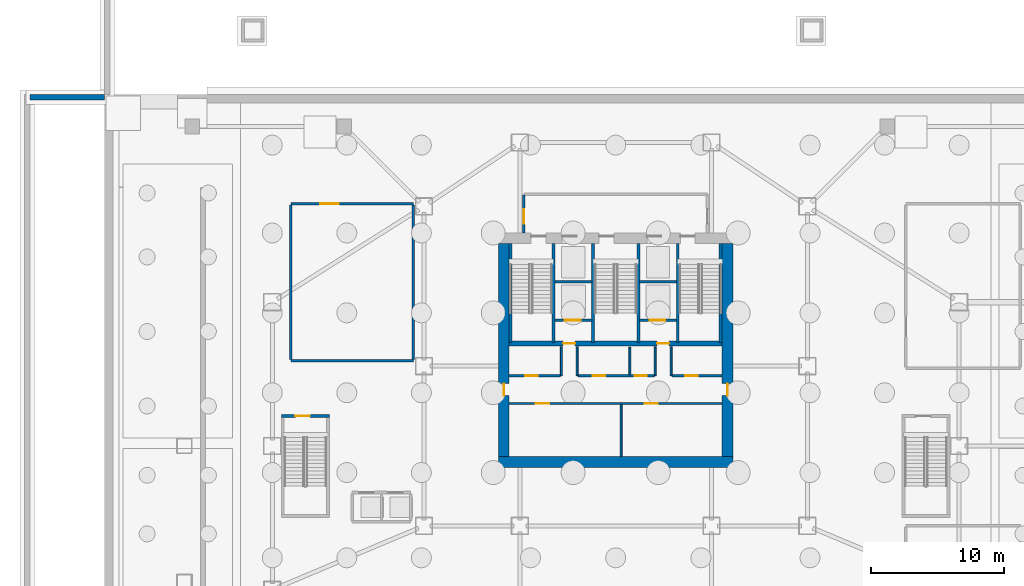
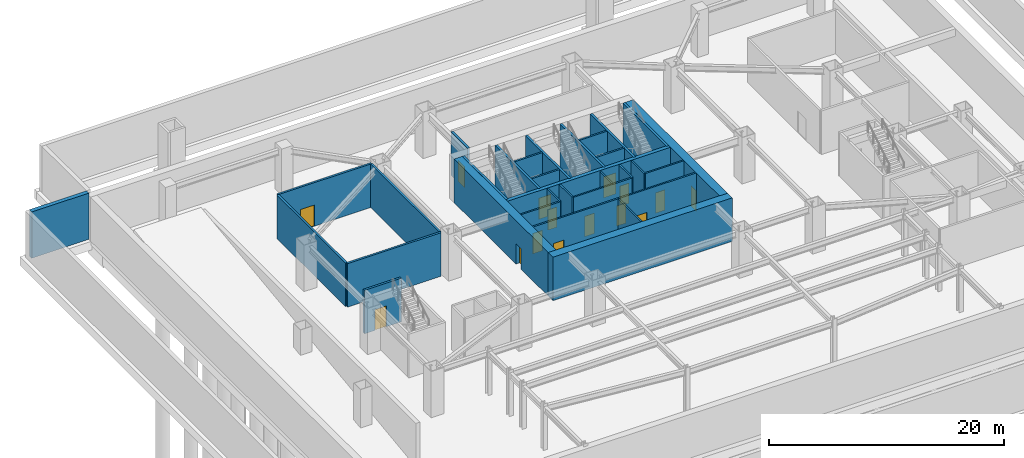
# One storey, part 8 of 15: 31 walls, 15 doors, 15 openings.
"""IFC4 building model written with IfcOpenShell, lengths in metres."""

import ifcopenshell
import ifcopenshell.guid

model = None  # the IFC model being written
_history = None  # IfcOwnerHistory: only IFC2X3 demands one
_inside = {}  # id of a spatial element -> (the spatial element, [elements in it])
_under = {}  # id of a project, library or spatial element -> (it, [spatial elements below it])
_declared = {}  # id of a project -> (the project, [libraries it declares])
_typed = {}  # id of a type object -> (the type object, [elements of that type])
_made_of = {}  # id of a material, layer set ... -> (it, [elements and type objects made of it])


def new_model(schema):
    """Start an empty IFC model of exactly this schema.

    Asked for "IFC4X3", IfcOpenShell would pick the latest addendum, in which some entities
    have other attributes; the version numbers below select the first issue.
    IFC2X3 requires an IfcOwnerHistory on every rooted entity: one is made here for all.
    """
    global model, _history
    if schema == "IFC4X3":
        model = ifcopenshell.file(schema_version=(4, 3, 0, 0))
    else:
        model = ifcopenshell.file(schema=schema)
    _inside.clear()
    _under.clear()
    _declared.clear()
    _typed.clear()
    _made_of.clear()
    _history = None
    if model.schema == "IFC2X3":
        org = make("IfcOrganization", Name="unknown")
        user = make(
            "IfcPersonAndOrganization",
            ThePerson=make("IfcPerson", FamilyName="unknown"),
            TheOrganization=org,
        )
        app = make(
            "IfcApplication",
            ApplicationDeveloper=org,
            Version="unknown",
            ApplicationFullName="unknown",
            ApplicationIdentifier="unknown",
        )
        _history = make(
            "IfcOwnerHistory",
            OwningUser=user,
            OwningApplication=app,
            ChangeAction="ADDED",
            CreationDate=0,
        )
    return model


def make(cls, **values):
    """One entity of the class cls with the attributes given. An attribute that is None is left unset."""
    return model.create_entity(
        cls, **{name: value for name, value in values.items() if value is not None}
    )


def rooted(cls, **values):
    """An entity with a GlobalId (a new one), such as an element, a storey or a relation."""
    return make(cls, GlobalId=ifcopenshell.guid.new(), OwnerHistory=_history, **values)


def si_unit(unit_type, name, prefix=None):
    """IfcSIUnit, for example si_unit("LENGTHUNIT", "METRE", prefix="MILLI")."""
    return make("IfcSIUnit", UnitType=unit_type, Prefix=prefix, Name=name)


def assignment(units):
    """IfcUnitAssignment: the units of a project."""
    return None if units is None else make("IfcUnitAssignment", Units=units)


def point(xyz):
    """IfcCartesianPoint."""
    return None if xyz is None else make("IfcCartesianPoint", Coordinates=xyz)


def direction(xyz):
    """IfcDirection."""
    return None if xyz is None else make("IfcDirection", DirectionRatios=xyz)


def frame(location, z_axis=None, x_axis=None):
    """IfcAxis2Placement3D, a coordinate frame: its origin and axes. An axis left out is left unset."""
    return make(
        "IfcAxis2Placement3D",
        Location=point(location),
        Axis=direction(z_axis),
        RefDirection=direction(x_axis),
    )


def frame_2d(location, x_axis=None):
    """IfcAxis2Placement2D, a coordinate frame in the plane: its origin and x axis."""
    return make(
        "IfcAxis2Placement2D", Location=point(location), RefDirection=direction(x_axis)
    )


def origin():
    """The frame at (0, 0, 0) with its axes left unset."""
    return frame((0.0, 0.0, 0.0))


def place(relative_to, where):
    """IfcLocalPlacement: puts the frame where relative to a parent placement (None: the world)."""
    return make(
        "IfcLocalPlacement", PlacementRelTo=relative_to, RelativePlacement=where
    )


def context(
    kind, dimensions, precision=None, world=None, true_north=None, identifier=None
):
    """IfcGeometricRepresentationContext, for example the 3D "Model" context."""
    return make(
        "IfcGeometricRepresentationContext",
        ContextIdentifier=identifier,
        ContextType=kind,
        CoordinateSpaceDimension=dimensions,
        Precision=precision,
        WorldCoordinateSystem=world,
        TrueNorth=true_north,
    )


def subcontext(parent, identifier, kind, view, scale=None):
    """IfcGeometricRepresentationSubContext, for example "Body" below "Model"."""
    return make(
        "IfcGeometricRepresentationSubContext",
        ContextIdentifier=identifier,
        ContextType=kind,
        ParentContext=parent,
        TargetScale=scale,
        TargetView=view,
    )


def project(units=None, contexts=None):
    """IfcProject with its units and contexts."""
    return rooted(
        "IfcProject",
        Name="project",
        RepresentationContexts=contexts,
        UnitsInContext=assignment(units),
    )


def spatial(cls, under=None, at=None, **own):
    """A site, building, storey or space (cls), placed at a placement, below another one or the project."""
    s = rooted(cls, ObjectPlacement=at, **own)
    if under is not None:
        _under.setdefault(under.id(), (under, []))[1].append(s)
    return s


def profile(cls, at=None, kind="AREA", **sizes):
    """A parametric profile (cls). Its sizes go by their IFC names, for example OverallWidth=200.0."""
    return make(cls, ProfileType=kind, Position=at, **sizes)


def rectangle(**sizes):
    """IfcRectangleProfileDef."""
    return profile("IfcRectangleProfileDef", **sizes)


def extrude(swept, where, along, depth):
    """IfcExtrudedAreaSolid: the profile swept, set in the frame where, extruded along a direction by depth."""
    return make(
        "IfcExtrudedAreaSolid",
        SweptArea=swept,
        Position=where,
        ExtrudedDirection=direction(along),
        Depth=depth,
    )


def shape(context_of_items, identifier, shape_type, items):
    """IfcShapeRepresentation: the items that make up one representation, for example the "Body"."""
    return make(
        "IfcShapeRepresentation",
        ContextOfItems=context_of_items,
        RepresentationIdentifier=identifier,
        RepresentationType=shape_type,
        Items=items,
    )


def material(Name=None, Category=None):
    """IfcMaterial."""
    return make("IfcMaterial", Name=Name, Category=Category)


def layer(
    of_material, thickness, ventilated=None, Name=None, Category=None, Priority=None
):
    """IfcMaterialLayer: one layer of a wall or slab, of a material (None: an air gap)."""
    return make(
        "IfcMaterialLayer",
        Material=of_material,
        LayerThickness=thickness,
        IsVentilated=ventilated,
        Name=Name,
        Category=Category,
        Priority=Priority,
    )


def layer_set(layers, Name=None):
    """IfcMaterialLayerSet."""
    return make("IfcMaterialLayerSet", MaterialLayers=layers, LayerSetName=Name)


def made_of(thing, what):
    """Note that an element or type object is made of a material, layer set ...; save() writes the relation."""
    if what is not None:
        _made_of.setdefault(what.id(), (what, []))[1].append(thing)
    return thing


def type_object(cls, material=None, **own):
    """A type object (cls), such as IfcWallType, which elements share."""
    return made_of(rooted(cls, **own), material)


def element(
    cls,
    number,
    at=None,
    inside=None,
    cuts=None,
    type_object=None,
    material=None,
    context=None,
    identifier="Body",
    shape_type=None,
    held_by="IfcProductDefinitionShape",
    body=None,
    shapes=None,
    **own,
):
    """One element of the class cls, such as IfcWall. Its Tag is "e" and its number.

    at: its placement. inside: the storey or other place that contains it. cuts: it is an
    opening in that element (IfcRelVoidsElement). A single representation is given by context,
    identifier, shape_type and body (its items); several are given by shapes. held_by: the class
    of the entity that holds the representations. save() writes the other relations.
    """
    e = rooted(cls, Tag="e%d" % number, ObjectPlacement=at, **own)
    if body is not None:
        shapes = [shape(context, identifier, shape_type, body)]
    if shapes is not None:
        e.Representation = make(held_by, Representations=shapes)
    if inside is not None:
        _inside.setdefault(inside.id(), (inside, []))[1].append(e)
    if cuts is not None:
        rooted(
            "IfcRelVoidsElement", RelatingBuildingElement=cuts, RelatedOpeningElement=e
        )
    if type_object is not None:
        _typed.setdefault(type_object.id(), (type_object, []))[1].append(e)
    return made_of(e, material)


def fill(opening, filler):
    """IfcRelFillsElement: the door or window that sits in an opening."""
    return rooted(
        "IfcRelFillsElement",
        RelatingOpeningElement=opening,
        RelatedBuildingElement=filler,
    )


def aggregate(whole, parts):
    """IfcRelAggregates: a whole, such as a stair, and the parts it consists of."""
    return rooted("IfcRelAggregates", RelatingObject=whole, RelatedObjects=parts)


def save(model, path):
    """Write the relations noted so far, then the file.

    IfcRelAggregates (storeys below a building ...), IfcRelContainedInSpatialStructure (elements
    in a storey), IfcRelDefinesByType, IfcRelAssociatesMaterial and IfcRelDeclares: one each for
    every whole, place, type object, material and project.
    """
    for whole, parts in _under.values():
        aggregate(whole, parts)
    for where, things in _inside.values():
        rooted(
            "IfcRelContainedInSpatialStructure",
            RelatedElements=things,
            RelatingStructure=where,
        )
    for kind, things in _typed.values():
        rooted("IfcRelDefinesByType", RelatedObjects=things, RelatingType=kind)
    for what, things in _made_of.values():
        rooted("IfcRelAssociatesMaterial", RelatedObjects=things, RelatingMaterial=what)
    for by, libraries in _declared.values():
        rooted("IfcRelDeclares", RelatingContext=by, RelatedDefinitions=libraries)
    model.write(path)


model = new_model("IFC4")

# Units and contexts
model_context = context("Model", 3, precision=1e-05, world=origin(), true_north=direction((0.0, 1.0)))
body_context = subcontext(model_context, "Body", "Model", "MODEL_VIEW")
ifc_project = project(units=[si_unit("LENGTHUNIT", "METRE"), si_unit("AREAUNIT", "SQUARE_METRE"), si_unit("VOLUMEUNIT", "CUBIC_METRE"), si_unit("PLANEANGLEUNIT", "RADIAN"), si_unit("MASSUNIT", "GRAM", prefix="KILO")], contexts=[model_context])

# Site, building, storey
site_placement = place(None, origin())
site = spatial("IfcSite", under=ifc_project, at=site_placement, CompositionType="ELEMENT")
building_placement = place(site_placement, origin())
building = spatial("IfcBuilding", under=site, at=building_placement, Name="Haolan Belvedere Tower", CompositionType="ELEMENT")
storey_placement = place(building_placement, frame((0.0, 0.0, -9.60009765625)))
storey = spatial("IfcBuildingStorey", under=building, at=storey_placement, Name="B2", CompositionType="ELEMENT", Elevation=-9.60009765625)

# Wall
ifc_material_1 = material(Name="Concrete C70/85", Category="concrete")
ifc_layer_1 = layer(ifc_material_1, 0.800048828125, Name="Concrete C70/85")
ifc_layer_set_1 = layer_set([ifc_layer_1], Name="Concrete C70/85")
wall_type_1 = type_object("IfcWallType", Name="WL-CORE-800", PredefinedType="SHEAR", material=ifc_layer_set_1)
wall_1_placement = place(storey_placement, frame((29.60009765625, 26.39990234375, 0.0), z_axis=(0.0, 0.0, 1.0), x_axis=(1.0, 0.0, 0.0)))
element("IfcWall", 1, at=wall_1_placement, inside=storey, type_object=wall_type_1, Name="B2 central core south shear wall", PredefinedType="SHEAR", context=body_context, shape_type="SweptSolid", body=[
    extrude(rectangle(XDim=17.599853515625, YDim=0.800048828125, at=frame_2d((8.7998046875, 0.0))), origin(), (0.0, 0.0, 1.0), 4.52001953125),
])

# Wall, opening, door
wall_2_placement = place(storey_placement, frame((30.0, 26.800048828125, 0.0), z_axis=(0.0, 0.0, 1.0), x_axis=(0.0, 1.0, 0.0)))
wall_2 = element("IfcWall", 2, at=wall_2_placement, inside=storey, type_object=wall_type_1, Name="B2 central core west shear wall", PredefinedType="SHEAR", context=body_context, shape_type="SweptSolid", body=[
    extrude(rectangle(XDim=16.0, YDim=0.800048828125, at=frame_2d((8.0, 0.0))), origin(), (0.0, 0.0, 1.0), 4.52001953125),
])
opening_1_placement = place(wall_2_placement, frame((4.590087890625, 0.0, 0.0)))
opening_1 = element("IfcOpeningElement", 3, at=opening_1_placement, cuts=wall_2, Name="Opening FD-05", PredefinedType="OPENING", context=body_context, shape_type="SweptSolid", body=[
    extrude(rectangle(XDim=0.89990234375, YDim=2.10009765625, at=frame_2d((0.449951171875, 1.050048828125))), frame((0.0, 0.409912109375, 0.0), z_axis=(0.0, -1.0, 0.0), x_axis=(1.0, 0.0, 0.0)), (0.0, 0.0, 1.0), 0.820068359375),
])
ifc_material_2 = material(Name="Galvanised fire-rated steel", Category="steel")
door_type_1 = type_object("IfcDoorType", Name="DR-FD60-900", OperationType="NOTDEFINED", PredefinedType="DOOR", material=ifc_material_2)
door_1_placement = place(opening_1_placement, origin())
door_1 = element("IfcDoor", 4, at=door_1_placement, inside=storey, type_object=door_type_1, Name="B2 door CD-B2-PLL-W", OperationType="SINGLE_SWING_LEFT", OverallHeight=2.10009765625, OverallWidth=0.89990234375, PredefinedType="DOOR", context=body_context, shape_type="SweptSolid", body=[
    extrude(rectangle(XDim=0.89990234375, YDim=2.10009765625, at=frame_2d((0.449951171875, 1.050048828125))), frame((0.0, 0.02490234375, 0.0), z_axis=(0.0, -1.0, 0.0), x_axis=(1.0, 0.0, 0.0)), (0.0, 0.0, 1.0), 0.050048828125),
])
fill(opening_1, door_1)

wall_3_placement = place(storey_placement, frame((46.800048828125, 26.800048828125, 0.0), z_axis=(0.0, 0.0, 1.0), x_axis=(0.0, 1.0, 0.0)))
wall_3 = element("IfcWall", 5, at=wall_3_placement, inside=storey, type_object=wall_type_1, Name="B2 central core east shear wall", PredefinedType="SHEAR", context=body_context, shape_type="SweptSolid", body=[
    extrude(rectangle(XDim=16.0, YDim=0.800048828125, at=frame_2d((8.0, 0.0))), origin(), (0.0, 0.0, 1.0), 4.52001953125),
])
opening_2_placement = place(wall_3_placement, frame((5.489990234375, 0.0, 0.0), z_axis=(0.0, 0.0, 1.0), x_axis=(-1.0, 0.0, 0.0)))
opening_2 = element("IfcOpeningElement", 6, at=opening_2_placement, cuts=wall_3, Name="Opening FD-05", PredefinedType="OPENING", context=body_context, shape_type="SweptSolid", body=[
    extrude(rectangle(XDim=0.89990234375, YDim=2.10009765625, at=frame_2d((0.449951171875, 1.050048828125))), frame((0.0, 0.409912109375, 0.0), z_axis=(0.0, -1.0, 0.0), x_axis=(1.0, 0.0, 0.0)), (0.0, 0.0, 1.0), 0.820068359375),
])
door_2_placement = place(opening_2_placement, origin())
door_2 = element("IfcDoor", 7, at=door_2_placement, inside=storey, type_object=door_type_1, Name="B2 door CD-B2-PLL-E", OperationType="SINGLE_SWING_LEFT", OverallHeight=2.10009765625, OverallWidth=0.89990234375, PredefinedType="DOOR", context=body_context, shape_type="SweptSolid", body=[
    extrude(rectangle(XDim=0.89990234375, YDim=2.10009765625, at=frame_2d((0.449951171875, 1.050048828125))), frame((0.0, 0.02490234375, 0.0), z_axis=(0.0, -1.0, 0.0), x_axis=(1.0, 0.0, 0.0)), (0.0, 0.0, 1.0), 0.050048828125),
])
fill(opening_2, door_2)

ifc_material_3 = material(Name="Concrete C40/50", Category="concrete")
ifc_layer_2 = layer(ifc_material_3, 0.199951171875, Name="Concrete C40/50")
ifc_layer_set_2 = layer_set([ifc_layer_2], Name="Concrete C40/50")
wall_type_2 = type_object("IfcWallType", Name="WL-FIRE-200", PredefinedType="SOLIDWALL", material=ifc_layer_set_2)
wall_4_placement = place(storey_placement, frame((31.5, 43.60009765625, 0.0), z_axis=(0.0, 0.0, 1.0), x_axis=(0.0, 1.0, 0.0)))
wall_4 = element("IfcWall", 8, at=wall_4_placement, inside=storey, type_object=wall_type_2, Name="B2 interior partition IW-B2-FFL-W", PredefinedType="SOLIDWALL", context=body_context, shape_type="SweptSolid", body=[
    extrude(rectangle(XDim=2.8349609375, YDim=0.199951171875, at=frame_2d((1.41748046875, 0.0))), origin(), (0.0, 0.0, 1.0), 4.52001953125),
])
opening_3_placement = place(wall_4_placement, frame((1.800048828125, 0.0, 0.0), z_axis=(0.0, 0.0, 1.0), x_axis=(-1.0, 0.0, 0.0)))
opening_3 = element("IfcOpeningElement", 9, at=opening_3_placement, cuts=wall_4, Name="Opening FD-03", PredefinedType="OPENING", context=body_context, shape_type="SweptSolid", body=[
    extrude(rectangle(XDim=1.10009765625, YDim=2.14990234375, at=frame_2d((0.550048828125, 1.074951171875))), frame((0.0, 0.10986328125, 0.0), z_axis=(0.0, -1.0, 0.0), x_axis=(1.0, 0.0, 0.0)), (0.0, 0.0, 1.0), 0.219970703125),
])
door_type_2 = type_object("IfcDoorType", Name="DR-FD90-1100", OperationType="NOTDEFINED", PredefinedType="DOOR", material=ifc_material_2)
door_3_placement = place(opening_3_placement, origin())
door_3 = element("IfcDoor", 10, at=door_3_placement, inside=storey, type_object=door_type_2, Name="B2 door ID-B2-FFL-DW", OperationType="SINGLE_SWING_LEFT", OverallHeight=2.14990234375, OverallWidth=1.10009765625, PredefinedType="DOOR", context=body_context, shape_type="SweptSolid", body=[
    extrude(rectangle(XDim=1.10009765625, YDim=2.14990234375, at=frame_2d((0.550048828125, 1.074951171875))), frame((0.0, 0.02490234375, 0.0), z_axis=(0.0, -1.0, 0.0), x_axis=(1.0, 0.0, 0.0)), (0.0, 0.0, 1.0), 0.050048828125),
])
fill(opening_3, door_3)

wall_5_placement = place(storey_placement, frame((14.0, 45.800048828125, 0.0), z_axis=(0.0, 0.0, 1.0), x_axis=(1.0, 0.0, 0.0)))
wall_5 = element("IfcWall", 11, at=wall_5_placement, inside=storey, type_object=wall_type_2, Name="B2 interior partition IW-B2-PLT-FAN-N", PredefinedType="SOLIDWALL", context=body_context, shape_type="SweptSolid", body=[
    extrude(rectangle(XDim=9.199951171875, YDim=0.199951171875, at=frame_2d((4.60009765625, 0.0))), origin(), (0.0, 0.0, 1.0), 4.52001953125),
])
opening_4_placement = place(wall_5_placement, frame((2.199951171875, 0.0, 0.0)))
opening_4 = element("IfcOpeningElement", 12, at=opening_4_placement, cuts=wall_5, Name="Opening FD-01", PredefinedType="OPENING", context=body_context, shape_type="SweptSolid", body=[
    extrude(rectangle(XDim=1.39990234375, YDim=2.199951171875, at=frame_2d((0.699951171875, 1.10009765625))), frame((0.0, 0.10986328125, 0.0), z_axis=(0.0, -1.0, 0.0), x_axis=(1.0, 0.0, 0.0)), (0.0, 0.0, 1.0), 0.219970703125),
])
door_type_3 = type_object("IfcDoorType", Name="DR-FD90-1400", OperationType="DOUBLE_DOOR_SINGLE_SWING", PredefinedType="DOOR", material=ifc_material_2)
door_4_placement = place(opening_4_placement, origin())
door_4 = element("IfcDoor", 13, at=door_4_placement, inside=storey, type_object=door_type_3, Name="B2 door ID-B2-PLT-FAN", OperationType="DOUBLE_DOOR_SINGLE_SWING", OverallHeight=2.199951171875, OverallWidth=1.39990234375, PredefinedType="DOOR", context=body_context, shape_type="SweptSolid", body=[
    extrude(rectangle(XDim=1.39990234375, YDim=2.199951171875, at=frame_2d((0.699951171875, 1.10009765625))), frame((0.0, 0.02490234375, 0.0), z_axis=(0.0, -1.0, 0.0), x_axis=(1.0, 0.0, 0.0)), (0.0, 0.0, 1.0), 0.050048828125),
])
fill(opening_4, door_4)

# Walls
wall_6_placement = place(storey_placement, frame((14.0, 34.0, 0.0), z_axis=(0.0, 0.0, 1.0), x_axis=(1.0, 0.0, 0.0)))
element("IfcWall", 14, at=wall_6_placement, inside=storey, type_object=wall_type_2, Name="B2 interior partition IW-B2-PLT-FAN-S", PredefinedType="SOLIDWALL", context=body_context, shape_type="SweptSolid", body=[
    extrude(rectangle(XDim=9.199951171875, YDim=0.199951171875, at=frame_2d((4.60009765625, 0.0))), origin(), (0.0, 0.0, 1.0), 4.52001953125),
])
for number, where, z_axis, x_axis, name in (
    (15, (14.0, 34.0849609375, 0.0), (0.0, 0.0, 1.0), (0.0, 1.0, 0.0), "B2 interior partition IW-B2-PLT-FAN-W"),
    (16, (23.199951171875, 34.0849609375, 0.0), (0.0, 0.0, 1.0), (0.0, 1.0, 0.0), "B2 interior partition IW-B2-PLT-FAN-E"),
):
    element("IfcWall", number, at=place(storey_placement, frame(where, z_axis=z_axis, x_axis=x_axis)), inside=storey, type_object=wall_type_2, Name=name, PredefinedType="SOLIDWALL", context=body_context, shape_type="SweptSolid", body=[
        extrude(rectangle(XDim=11.630126953125, YDim=0.199951171875, at=frame_2d((5.81494140625, 0.0))), origin(), (0.0, 0.0, 1.0), 4.52001953125),
    ])
ifc_material_4 = material(Name="Concrete C50/60", Category="concrete")
ifc_layer_3 = layer(ifc_material_4, 0.39990234375, Name="Concrete C50/60")
ifc_layer_set_3 = layer_set([ifc_layer_3], Name="Concrete C50/60")
wall_type_3 = type_object("IfcWallType", Name="WL-RMP-400", PredefinedType="SOLIDWALL", material=ifc_layer_set_3)
wall_7_placement = place(storey_placement, frame((-5.60009765625, 53.800048828125, 0.0), z_axis=(0.0, 0.0, 1.0), x_axis=(1.0, 0.0, 0.0)))
element("IfcWall", 17, at=wall_7_placement, inside=storey, type_object=wall_type_3, Name="B2 apron foundation wall APW-W-N", PredefinedType="SOLIDWALL", context=body_context, shape_type="SweptSolid", body=[
    extrude(rectangle(XDim=5.60009765625, YDim=0.39990234375, at=frame_2d((2.800048828125, 0.0))), origin(), (0.0, 0.0, 1.0), 4.800048828125),
])
ifc_material_5 = material(Name="Gypsum fire shaftwall assembly", Category="masonry")
ifc_layer_4 = layer(ifc_material_5, 0.1650390625, Name="Gypsum fire shaftwall assembly")
ifc_layer_set_4 = layer_set([ifc_layer_4], Name="Gypsum fire shaftwall assembly")
wall_type_4 = type_object("IfcWallType", Name="WL-SHAFT-160", PredefinedType="SOLIDWALL", material=ifc_layer_set_4)
for number, where, z_axis, x_axis, name in (
    (18, (34.31005859375, 32.8798828125, 0.0), (0.0, 0.0, 1.0), (0.0, 1.0, 0.0), "B2 interior partition IW-B2-SVP-W-SV1"),
    (19, (35.510009765625, 32.8798828125, 0.0), (0.0, 0.0, 1.0), (0.0, 1.0, 0.0), "B2 interior partition IW-B2-SVP-E-SV1"),
    (20, (41.3701171875, 32.8798828125, 0.0), (0.0, 0.0, 1.0), (0.0, 1.0, 0.0), "B2 interior partition IW-B2-SVP-W-SV2"),
    (21, (42.570068359375, 32.8798828125, 0.0), (0.0, 0.0, 1.0), (0.0, 1.0, 0.0), "B2 interior partition IW-B2-SVP-E-SV2"),
):
    element("IfcWall", number, at=place(storey_placement, frame(where, z_axis=z_axis, x_axis=x_axis)), inside=storey, type_object=wall_type_4, Name=name, PredefinedType="SOLIDWALL", context=body_context, shape_type="SweptSolid", body=[
        extrude(rectangle(XDim=2.170166015625, YDim=0.14990234375, at=frame_2d((1.0849609375, 0.0))), origin(), (0.0, 0.0, 1.0), 4.52001953125),
    ])

# Wall, opening, door
wall_8_placement = place(storey_placement, frame((30.39990234375, 32.8798828125, 0.0), z_axis=(0.0, 0.0, 1.0), x_axis=(1.0, 0.0, 0.0)))
wall_8 = element("IfcWall", 22, at=wall_8_placement, inside=storey, type_object=wall_type_4, Name="B2 interior partition IW-B2-ROW-PN1", PredefinedType="SOLIDWALL", context=body_context, shape_type="SweptSolid", body=[
    extrude(rectangle(XDim=3.85009765625, YDim=0.159912109375, at=frame_2d((1.925048828125, 0.0))), origin(), (0.0, 0.0, 1.0), 4.52001953125),
])
opening_5_placement = place(wall_8_placement, frame((2.14990234375, 0.0, 0.0), z_axis=(0.0, 0.0, 1.0), x_axis=(-1.0, 0.0, 0.0)))
opening_5 = element("IfcOpeningElement", 23, at=opening_5_placement, cuts=wall_8, Name="Opening ID-03", PredefinedType="OPENING", context=body_context, shape_type="SweptSolid", body=[
    extrude(rectangle(XDim=0.949951171875, YDim=2.1201171875, at=frame_2d((0.47509765625, 1.06005859375))), frame((0.0, 0.08984375, 0.0), z_axis=(0.0, -1.0, 0.0), x_axis=(1.0, 0.0, 0.0)), (0.0, 0.0, 1.0), 0.179931640625),
])
ifc_material_6 = material(Name="Painted solid-core timber", Category="wood")
door_type_4 = type_object("IfcDoorType", Name="DR-INT-950", OperationType="NOTDEFINED", PredefinedType="DOOR", material=ifc_material_6)
door_5_placement = place(opening_5_placement, origin())
door_5 = element("IfcDoor", 24, at=door_5_placement, inside=storey, type_object=door_type_4, Name="B2 door ID-B2-CD-BNW", OperationType="SINGLE_SWING_LEFT", OverallHeight=2.1201171875, OverallWidth=0.949951171875, PredefinedType="DOOR", context=body_context, shape_type="SweptSolid", body=[
    extrude(rectangle(XDim=0.949951171875, YDim=2.1201171875, at=frame_2d((0.47509765625, 1.06005859375))), frame((0.0, 0.02490234375, 0.0), z_axis=(0.0, -1.0, 0.0), x_axis=(1.0, 0.0, 0.0)), (0.0, 0.0, 1.0), 0.050048828125),
])
fill(opening_5, door_5)

# Wall, openings, doors
wall_9_placement = place(storey_placement, frame((35.570068359375, 32.8798828125, 0.0), z_axis=(0.0, 0.0, 1.0), x_axis=(1.0, 0.0, 0.0)))
wall_9 = element("IfcWall", 25, at=wall_9_placement, inside=storey, type_object=wall_type_4, Name="B2 interior partition IW-B2-ROW-PN2", PredefinedType="SOLIDWALL", context=body_context, shape_type="SweptSolid", body=[
    extrude(rectangle(XDim=5.739990234375, YDim=0.159912109375, at=frame_2d((2.8701171875, 0.0))), origin(), (0.0, 0.0, 1.0), 4.52001953125),
])
opening_6_placement = place(wall_9_placement, frame((2.050048828125, 0.0, 0.0), z_axis=(0.0, 0.0, 1.0), x_axis=(-1.0, 0.0, 0.0)))
opening_6 = element("IfcOpeningElement", 26, at=opening_6_placement, cuts=wall_9, Name="Opening ID-03", PredefinedType="OPENING", context=body_context, shape_type="SweptSolid", body=[
    extrude(rectangle(XDim=0.949951171875, YDim=2.1201171875, at=frame_2d((0.47509765625, 1.06005859375))), frame((0.0, 0.08984375, 0.0), z_axis=(0.0, -1.0, 0.0), x_axis=(1.0, 0.0, 0.0)), (0.0, 0.0, 1.0), 0.179931640625),
])
opening_7_placement = place(wall_9_placement, frame((5.14990234375, 0.0, 0.0), z_axis=(0.0, 0.0, 1.0), x_axis=(-1.0, 0.0, 0.0)))
opening_7 = element("IfcOpeningElement", 27, at=opening_7_placement, cuts=wall_9, Name="Opening FD-05", PredefinedType="OPENING", context=body_context, shape_type="SweptSolid", body=[
    extrude(rectangle(XDim=0.89990234375, YDim=2.10009765625, at=frame_2d((0.449951171875, 1.050048828125))), frame((0.0, 0.08984375, 0.0), z_axis=(0.0, -1.0, 0.0), x_axis=(1.0, 0.0, 0.0)), (0.0, 0.0, 1.0), 0.179931640625),
])
door_6_placement = place(opening_7_placement, origin())
door_6 = element("IfcDoor", 28, at=door_6_placement, inside=storey, type_object=door_type_1, Name="B2 door ID-B2-CD-RPH1", OperationType="SINGLE_SWING_RIGHT", OverallHeight=2.10009765625, OverallWidth=0.89990234375, PredefinedType="DOOR", context=body_context, shape_type="SweptSolid", body=[
    extrude(rectangle(XDim=0.89990234375, YDim=2.10009765625, at=frame_2d((0.449951171875, 1.050048828125))), frame((0.0, 0.02490234375, 0.0), z_axis=(0.0, -1.0, 0.0), x_axis=(1.0, 0.0, 0.0)), (0.0, 0.0, 1.0), 0.050048828125),
])
fill(opening_7, door_6)
door_7_placement = place(opening_6_placement, origin())
door_7 = element("IfcDoor", 29, at=door_7_placement, inside=storey, type_object=door_type_4, Name="B2 door ID-B2-CD-BNM", OperationType="SINGLE_SWING_RIGHT", OverallHeight=2.1201171875, OverallWidth=0.949951171875, PredefinedType="DOOR", context=body_context, shape_type="SweptSolid", body=[
    extrude(rectangle(XDim=0.949951171875, YDim=2.1201171875, at=frame_2d((0.47509765625, 1.06005859375))), frame((0.0, 0.02490234375, 0.0), z_axis=(0.0, -1.0, 0.0), x_axis=(1.0, 0.0, 0.0)), (0.0, 0.0, 1.0), 0.050048828125),
])
fill(opening_6, door_7)

# Wall, opening, door
wall_10_placement = place(storey_placement, frame((42.6298828125, 32.8798828125, 0.0), z_axis=(0.0, 0.0, 1.0), x_axis=(1.0, 0.0, 0.0)))
wall_10 = element("IfcWall", 30, at=wall_10_placement, inside=storey, type_object=wall_type_4, Name="B2 interior partition IW-B2-ROW-PN3", PredefinedType="SOLIDWALL", context=body_context, shape_type="SweptSolid", body=[
    extrude(rectangle(XDim=3.77001953125, YDim=0.159912109375, at=frame_2d((1.885009765625, 0.0))), origin(), (0.0, 0.0, 1.0), 4.52001953125),
])
opening_8_placement = place(wall_10_placement, frame((1.949951171875, 0.0, 0.0), z_axis=(0.0, 0.0, 1.0), x_axis=(-1.0, 0.0, 0.0)))
opening_8 = element("IfcOpeningElement", 31, at=opening_8_placement, cuts=wall_10, Name="Opening ID-03", PredefinedType="OPENING", context=body_context, shape_type="SweptSolid", body=[
    extrude(rectangle(XDim=0.949951171875, YDim=2.1201171875, at=frame_2d((0.47509765625, 1.06005859375))), frame((0.0, 0.08984375, 0.0), z_axis=(0.0, -1.0, 0.0), x_axis=(1.0, 0.0, 0.0)), (0.0, 0.0, 1.0), 0.179931640625),
])
door_8_placement = place(opening_8_placement, origin())
door_8 = element("IfcDoor", 32, at=door_8_placement, inside=storey, type_object=door_type_4, Name="B2 door ID-B2-CD-RPH23", OperationType="SINGLE_SWING_LEFT", OverallHeight=2.1201171875, OverallWidth=0.949951171875, PredefinedType="DOOR", context=body_context, shape_type="SweptSolid", body=[
    extrude(rectangle(XDim=0.949951171875, YDim=2.1201171875, at=frame_2d((0.47509765625, 1.06005859375))), frame((0.0, 0.02490234375, 0.0), z_axis=(0.0, -1.0, 0.0), x_axis=(1.0, 0.0, 0.0)), (0.0, 0.0, 1.0), 0.050048828125),
])
fill(opening_8, door_8)

# Wall
wall_11_placement = place(storey_placement, frame((39.469970703125, 32.949951171875, 0.0), z_axis=(0.0, 0.0, 1.0), x_axis=(0.0, 1.0, 0.0)))
element("IfcWall", 33, at=wall_11_placement, inside=storey, type_object=wall_type_4, Name="B2 interior partition IW-B2-DIV-PL4B", PredefinedType="SOLIDWALL", context=body_context, shape_type="SweptSolid", body=[
    extrude(rectangle(XDim=2.050048828125, YDim=0.14990234375, at=frame_2d((1.02490234375, 0.0))), origin(), (0.0, 0.0, 1.0), 4.52001953125),
])

# Wall, openings, doors
wall_12_placement = place(storey_placement, frame((30.39990234375, 30.800048828125, 0.0), z_axis=(0.0, 0.0, 1.0), x_axis=(1.0, 0.0, 0.0)))
wall_12 = element("IfcWall", 34, at=wall_12_placement, inside=storey, type_object=wall_type_4, Name="B2 interior partition IW-B2-ROW-PS", PredefinedType="SOLIDWALL", context=body_context, shape_type="SweptSolid", body=[
    extrude(rectangle(XDim=16.0, YDim=0.159912109375, at=frame_2d((8.0, 0.0))), origin(), (0.0, 0.0, 1.0), 4.52001953125),
])
opening_9_placement = place(wall_12_placement, frame((2.0, 0.0, 0.0)))
opening_9 = element("IfcOpeningElement", 35, at=opening_9_placement, cuts=wall_12, Name="Opening FD-04", PredefinedType="OPENING", context=body_context, shape_type="SweptSolid", body=[
    extrude(rectangle(XDim=1.0, YDim=2.10009765625, at=frame_2d((0.5, 1.050048828125))), frame((0.0, 0.08984375, 0.0), z_axis=(0.0, -1.0, 0.0), x_axis=(1.0, 0.0, 0.0)), (0.0, 0.0, 1.0), 0.179931640625),
])
opening_10_placement = place(wall_12_placement, frame((10.199951171875, 0.0, 0.0)))
opening_10 = element("IfcOpeningElement", 36, at=opening_10_placement, cuts=wall_12, Name="Opening ID-03", PredefinedType="OPENING", context=body_context, shape_type="SweptSolid", body=[
    extrude(rectangle(XDim=0.949951171875, YDim=2.1201171875, at=frame_2d((0.47509765625, 1.06005859375))), frame((0.0, 0.08984375, 0.0), z_axis=(0.0, -1.0, 0.0), x_axis=(1.0, 0.0, 0.0)), (0.0, 0.0, 1.0), 0.179931640625),
])
door_type_5 = type_object("IfcDoorType", Name="DR-FD90-1000", OperationType="NOTDEFINED", PredefinedType="DOOR", material=ifc_material_2)
door_9_placement = place(opening_9_placement, origin())
door_9 = element("IfcDoor", 37, at=door_9_placement, inside=storey, type_object=door_type_5, Name="B2 door ID-B2-CD-BS", OperationType="SINGLE_SWING_LEFT", OverallHeight=2.10009765625, OverallWidth=1.0, PredefinedType="DOOR", context=body_context, shape_type="SweptSolid", body=[
    extrude(rectangle(XDim=1.0, YDim=2.10009765625, at=frame_2d((0.5, 1.050048828125))), frame((0.0, 0.02490234375, 0.0), z_axis=(0.0, -1.0, 0.0), x_axis=(1.0, 0.0, 0.0)), (0.0, 0.0, 1.0), 0.050048828125),
])
fill(opening_9, door_9)
door_10_placement = place(opening_10_placement, origin())
door_10 = element("IfcDoor", 38, at=door_10_placement, inside=storey, type_object=door_type_4, Name="B2 door ID-B2-CD-OB-ALT", OperationType="SINGLE_SWING_RIGHT", OverallHeight=2.1201171875, OverallWidth=0.949951171875, PredefinedType="DOOR", context=body_context, shape_type="SweptSolid", body=[
    extrude(rectangle(XDim=0.949951171875, YDim=2.1201171875, at=frame_2d((0.47509765625, 1.06005859375))), frame((0.0, 0.02490234375, 0.0), z_axis=(0.0, -1.0, 0.0), x_axis=(1.0, 0.0, 0.0)), (0.0, 0.0, 1.0), 0.050048828125),
])
fill(opening_10, door_10)

# Walls
wall_13_placement = place(storey_placement, frame((38.800048828125, 26.81005859375, 0.0), z_axis=(0.0, 0.0, 1.0), x_axis=(0.0, 1.0, 0.0)))
element("IfcWall", 39, at=wall_13_placement, inside=storey, type_object=wall_type_4, Name="B2 interior partition IW-B2-DIV-PMB", PredefinedType="SOLIDWALL", context=body_context, shape_type="SweptSolid", body=[
    extrude(rectangle(XDim=3.925048828125, YDim=0.14990234375, at=frame_2d((1.96240234375, 0.0))), origin(), (0.0, 0.0, 1.0), 4.52001953125),
])
ifc_material_7 = material(Name="Precast concrete C40/50", Category="concrete")
ifc_layer_5 = layer(ifc_material_7, 0.179931640625, Name="Precast concrete C40/50")
ifc_layer_set_5 = layer_set([ifc_layer_5], Name="Precast concrete C40/50")
wall_type_5 = type_object("IfcWallType", Name="WL-SHAFT-180", PredefinedType="SOLIDWALL", material=ifc_layer_set_5)
for number, where, z_axis, x_axis, name in (
    (40, (33.8349609375, 39.949951171875, 0.0), (0.0, 0.0, 1.0), (1.0, 0.0, 0.0), "B2 interior partition IW-B2-FF1-S"),
    (41, (40.195068359375, 39.949951171875, 0.0), (0.0, 0.0, 1.0), (1.0, 0.0, 0.0), "B2 interior partition IW-B2-FF2-S"),
):
    element("IfcWall", number, at=place(storey_placement, frame(where, z_axis=z_axis, x_axis=x_axis)), inside=storey, type_object=wall_type_5, Name=name, PredefinedType="SOLIDWALL", context=body_context, shape_type="SweptSolid", body=[
        extrude(rectangle(XDim=2.77001953125, YDim=0.179931640625, at=frame_2d((1.385009765625, 0.0))), origin(), (0.0, 0.0, 1.0), 4.52001953125),
    ])

# Wall, opening, door
wall_14_placement = place(storey_placement, frame((33.8349609375, 37.050048828125, 0.0), z_axis=(0.0, 0.0, 1.0), x_axis=(1.0, 0.0, 0.0)))
wall_14 = element("IfcWall", 42, at=wall_14_placement, inside=storey, type_object=wall_type_5, Name="B2 interior partition IW-B2-SV1-S", PredefinedType="SOLIDWALL", context=body_context, shape_type="SweptSolid", body=[
    extrude(rectangle(XDim=2.77001953125, YDim=0.179931640625, at=frame_2d((1.385009765625, 0.0))), origin(), (0.0, 0.0, 1.0), 4.52001953125),
])
opening_11_placement = place(wall_14_placement, frame((1.945068359375, 0.0, 0.0), z_axis=(0.0, 0.0, 1.0), x_axis=(-1.0, 0.0, 0.0)))
opening_11 = element("IfcOpeningElement", 43, at=opening_11_placement, cuts=wall_14, Name="Opening LD-02", PredefinedType="OPENING", context=body_context, shape_type="SweptSolid", body=[
    extrude(rectangle(XDim=1.199951171875, YDim=2.199951171875, at=frame_2d((0.60009765625, 1.10009765625))), frame((0.0, 0.099853515625, 0.0), z_axis=(0.0, -1.0, 0.0), x_axis=(1.0, 0.0, 0.0)), (0.0, 0.0, 1.0), 0.199951171875),
])
ifc_material_8 = material(Name="Brushed champagne stainless steel 316L", Category="steel")
door_type_6 = type_object("IfcDoorType", Name="DR-LIFT-1200", OperationType="SLIDING_TO_RIGHT", PredefinedType="DOOR", material=ifc_material_8)
door_11_placement = place(opening_11_placement, origin())
door_11 = element("IfcDoor", 44, at=door_11_placement, inside=storey, type_object=door_type_6, Name="B2 door ID-B2-LD-SV1", OperationType="SLIDING_TO_RIGHT", OverallHeight=2.199951171875, OverallWidth=1.199951171875, PredefinedType="DOOR", context=body_context, shape_type="SweptSolid", body=[
    extrude(rectangle(XDim=1.199951171875, YDim=2.199951171875, at=frame_2d((0.60009765625, 1.10009765625))), frame((0.0, 0.02490234375, 0.0), z_axis=(0.0, -1.0, 0.0), x_axis=(1.0, 0.0, 0.0)), (0.0, 0.0, 1.0), 0.050048828125),
])
fill(opening_11, door_11)

wall_15_placement = place(storey_placement, frame((40.195068359375, 37.050048828125, 0.0), z_axis=(0.0, 0.0, 1.0), x_axis=(1.0, 0.0, 0.0)))
wall_15 = element("IfcWall", 45, at=wall_15_placement, inside=storey, type_object=wall_type_5, Name="B2 interior partition IW-B2-SV2-S", PredefinedType="SOLIDWALL", context=body_context, shape_type="SweptSolid", body=[
    extrude(rectangle(XDim=2.77001953125, YDim=0.179931640625, at=frame_2d((1.385009765625, 0.0))), origin(), (0.0, 0.0, 1.0), 4.52001953125),
])
opening_12_placement = place(wall_15_placement, frame((1.945068359375, 0.0, 0.0), z_axis=(0.0, 0.0, 1.0), x_axis=(-1.0, 0.0, 0.0)))
opening_12 = element("IfcOpeningElement", 46, at=opening_12_placement, cuts=wall_15, Name="Opening LD-02", PredefinedType="OPENING", context=body_context, shape_type="SweptSolid", body=[
    extrude(rectangle(XDim=1.199951171875, YDim=2.199951171875, at=frame_2d((0.60009765625, 1.10009765625))), frame((0.0, 0.099853515625, 0.0), z_axis=(0.0, -1.0, 0.0), x_axis=(1.0, 0.0, 0.0)), (0.0, 0.0, 1.0), 0.199951171875),
])
door_12_placement = place(opening_12_placement, origin())
door_12 = element("IfcDoor", 47, at=door_12_placement, inside=storey, type_object=door_type_6, Name="B2 door ID-B2-LD-SV2", OperationType="SLIDING_TO_RIGHT", OverallHeight=2.199951171875, OverallWidth=1.199951171875, PredefinedType="DOOR", context=body_context, shape_type="SweptSolid", body=[
    extrude(rectangle(XDim=1.199951171875, YDim=2.199951171875, at=frame_2d((0.60009765625, 1.10009765625))), frame((0.0, 0.02490234375, 0.0), z_axis=(0.0, -1.0, 0.0), x_axis=(1.0, 0.0, 0.0)), (0.0, 0.0, 1.0), 0.050048828125),
])
fill(opening_12, door_12)

# Walls
ifc_layer_6 = layer(ifc_material_4, 0.219970703125, Name="Concrete C50/60")
ifc_layer_set_6 = layer_set([ifc_layer_6], Name="Concrete C50/60")
wall_type_6 = type_object("IfcWallType", Name="WL-STAIR-220", PredefinedType="SHEAR", material=ifc_layer_set_6)
for number, where, z_axis, x_axis, name in (
    (48, (30.511962890625, 35.389892578125, 0.0), (0.0, 0.0, 1.0), (0.0, 1.0, 0.0), "B2 structural stair core wall ST1W"),
    (49, (33.739990234375, 35.389892578125, 0.0), (0.0, 0.0, 1.0), (0.0, 1.0, 0.0), "B2 structural stair core wall ST1E"),
    (50, (36.699951171875, 35.389892578125, 0.0), (0.0, 0.0, 1.0), (0.0, 1.0, 0.0), "B2 structural stair core wall ST3W"),
    (51, (40.10009765625, 35.389892578125, 0.0), (0.0, 0.0, 1.0), (0.0, 1.0, 0.0), "B2 structural stair core wall ST3E"),
    (52, (43.06005859375, 35.389892578125, 0.0), (0.0, 0.0, 1.0), (0.0, 1.0, 0.0), "B2 structural stair core wall ST2W"),
    (53, (46.2880859375, 35.389892578125, 0.0), (0.0, 0.0, 1.0), (0.0, 1.0, 0.0), "B2 structural stair core wall ST2E"),
):
    element("IfcWall", number, at=place(storey_placement, frame(where, z_axis=z_axis, x_axis=x_axis)), inside=storey, type_object=wall_type_6, Name=name, PredefinedType="SHEAR", context=body_context, shape_type="SweptSolid", body=[
        extrude(rectangle(XDim=7.41015625, YDim=0.219970703125, at=frame_2d((3.705078125, 0.0))), origin(), (0.0, 0.0, 1.0), 4.52001953125),
    ])

# Wall, opening, door
wall_16_placement = place(storey_placement, frame((13.280029296875, 29.860107421875, 0.0), z_axis=(0.0, 0.0, 1.0), x_axis=(1.0, 0.0, 0.0)))
wall_16 = element("IfcWall", 54, at=wall_16_placement, inside=storey, type_object=wall_type_6, Name="B2 podium stair ST4 structural shaft wall N", PredefinedType="SHEAR", context=body_context, shape_type="SweptSolid", body=[
    extrude(rectangle(XDim=3.619873046875, YDim=0.219970703125, at=frame_2d((1.81005859375, 0.0))), origin(), (0.0, 0.0, 1.0), 4.52001953125),
])
opening_13_placement = place(wall_16_placement, frame((1.050048828125, 0.0, 0.0)))
opening_13 = element("IfcOpeningElement", 55, at=opening_13_placement, cuts=wall_16, Name="Opening FD-03", PredefinedType="OPENING", context=body_context, shape_type="SweptSolid", body=[
    extrude(rectangle(XDim=1.10009765625, YDim=2.14990234375, at=frame_2d((0.550048828125, 1.074951171875))), frame((0.0, 0.119873046875, 0.0), z_axis=(0.0, -1.0, 0.0), x_axis=(1.0, 0.0, 0.0)), (0.0, 0.0, 1.0), 0.239990234375),
])
door_13_placement = place(opening_13_placement, origin())
door_13 = element("IfcDoor", 56, at=door_13_placement, inside=storey, type_object=door_type_2, Name="B2 door ID-B2-D-ST4", OperationType="SINGLE_SWING_LEFT", OverallHeight=2.14990234375, OverallWidth=1.10009765625, PredefinedType="DOOR", context=body_context, shape_type="SweptSolid", body=[
    extrude(rectangle(XDim=1.10009765625, YDim=2.14990234375, at=frame_2d((0.550048828125, 1.074951171875))), frame((0.0, 0.02490234375, 0.0), z_axis=(0.0, -1.0, 0.0), x_axis=(1.0, 0.0, 0.0)), (0.0, 0.0, 1.0), 0.050048828125),
])
fill(opening_13, door_13)

# Wall, openings, doors
ifc_material_9 = material(Name="Concrete C60/75", Category="concrete")
ifc_layer_7 = layer(ifc_material_9, 0.360107421875, Name="Concrete C60/75")
ifc_layer_set_7 = layer_set([ifc_layer_7], Name="Concrete C60/75")
wall_type_7 = type_object("IfcWallType", Name="WL-WEB-350", PredefinedType="SHEAR", material=ifc_layer_set_7)
wall_17_placement = place(storey_placement, frame((30.39990234375, 35.2900390625, 0.0), z_axis=(0.0, 0.0, 1.0), x_axis=(1.0, 0.0, 0.0)))
wall_17 = element("IfcWall", 57, at=wall_17_placement, inside=storey, type_object=wall_type_7, Name="B2 central core internal shear web", PredefinedType="SHEAR", context=body_context, shape_type="SweptSolid", body=[
    extrude(rectangle(XDim=16.0, YDim=0.360107421875, at=frame_2d((8.0, 0.0))), origin(), (0.0, 0.0, 1.0), 4.52001953125),
])
opening_14_placement = place(wall_17_placement, frame((4.949951171875, 0.0, 0.0), z_axis=(0.0, 0.0, 1.0), x_axis=(-1.0, 0.0, 0.0)))
opening_14 = element("IfcOpeningElement", 58, at=opening_14_placement, cuts=wall_17, Name="Opening FD-05", PredefinedType="OPENING", context=body_context, shape_type="SweptSolid", body=[
    extrude(rectangle(XDim=0.89990234375, YDim=2.10009765625, at=frame_2d((0.449951171875, 1.050048828125))), frame((0.0, 0.18994140625, 0.0), z_axis=(0.0, -1.0, 0.0), x_axis=(1.0, 0.0, 0.0)), (0.0, 0.0, 1.0), 0.380126953125),
])
opening_15_placement = place(wall_17_placement, frame((12.010009765625, 0.0, 0.0), z_axis=(0.0, 0.0, 1.0), x_axis=(-1.0, 0.0, 0.0)))
opening_15 = element("IfcOpeningElement", 59, at=opening_15_placement, cuts=wall_17, Name="Opening FD-05", PredefinedType="OPENING", context=body_context, shape_type="SweptSolid", body=[
    extrude(rectangle(XDim=0.89990234375, YDim=2.10009765625, at=frame_2d((0.449951171875, 1.050048828125))), frame((0.0, 0.18994140625, 0.0), z_axis=(0.0, -1.0, 0.0), x_axis=(1.0, 0.0, 0.0)), (0.0, 0.0, 1.0), 0.380126953125),
])
door_14_placement = place(opening_14_placement, origin())
door_14 = element("IfcDoor", 60, at=door_14_placement, inside=storey, type_object=door_type_1, Name="B2 door CD-B2-SVL-SV1", OperationType="SINGLE_SWING_RIGHT", OverallHeight=2.10009765625, OverallWidth=0.89990234375, PredefinedType="DOOR", context=body_context, shape_type="SweptSolid", body=[
    extrude(rectangle(XDim=0.89990234375, YDim=2.10009765625, at=frame_2d((0.449951171875, 1.050048828125))), frame((0.0, 0.02490234375, 0.0), z_axis=(0.0, -1.0, 0.0), x_axis=(1.0, 0.0, 0.0)), (0.0, 0.0, 1.0), 0.050048828125),
])
fill(opening_14, door_14)
door_15_placement = place(opening_15_placement, origin())
door_15 = element("IfcDoor", 61, at=door_15_placement, inside=storey, type_object=door_type_1, Name="B2 door CD-B2-SVL-SV2", OperationType="SINGLE_SWING_RIGHT", OverallHeight=2.10009765625, OverallWidth=0.89990234375, PredefinedType="DOOR", context=body_context, shape_type="SweptSolid", body=[
    extrude(rectangle(XDim=0.89990234375, YDim=2.10009765625, at=frame_2d((0.449951171875, 1.050048828125))), frame((0.0, 0.02490234375, 0.0), z_axis=(0.0, -1.0, 0.0), x_axis=(1.0, 0.0, 0.0)), (0.0, 0.0, 1.0), 0.050048828125),
])
fill(opening_15, door_15)

save(model, "model.ifc")
